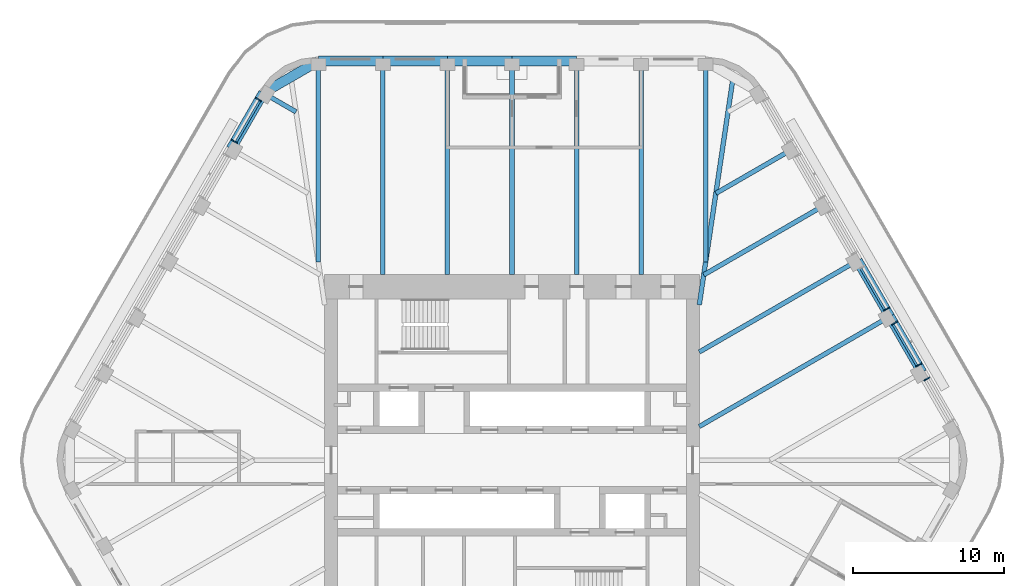
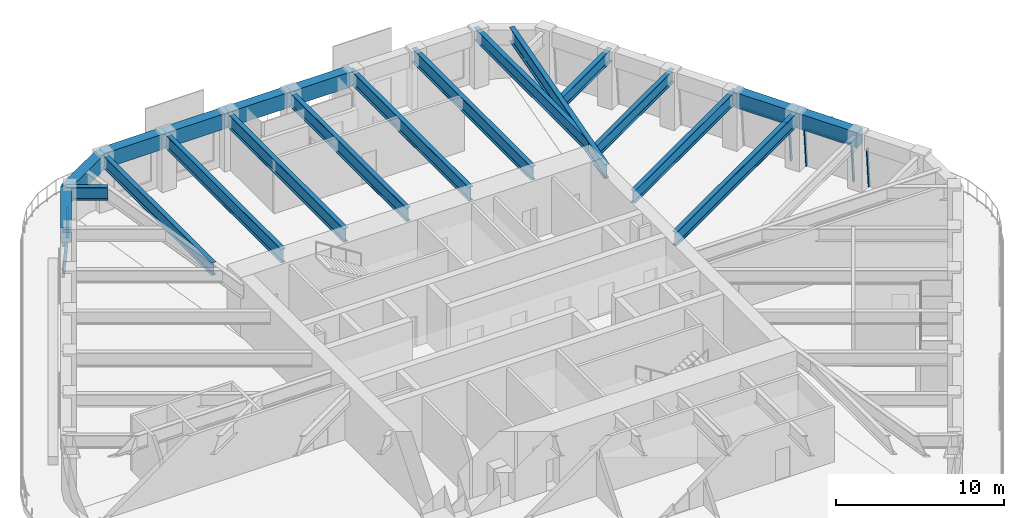
# One storey, part 9 of 19: 21 beams, 9 members, 4 elements without a shape of their own.
"""IFC4 building model written with IfcOpenShell, lengths in metres."""

from ifc_helpers import new_model, si_unit, direction, frame, origin, origin_2d, place, context, subcontext, project, spatial, rectangle, i_section, extrude, material, material_profile, profile_set, type_object, element, aggregate, save


model = new_model("IFC4")

# Units and contexts
model_context = context("Model", 3, precision=1e-05, world=origin(), true_north=direction((0.0, 1.0)))
body_context = subcontext(model_context, "Body", "Model", "MODEL_VIEW")
ifc_project = project(units=[si_unit("LENGTHUNIT", "METRE"), si_unit("AREAUNIT", "SQUARE_METRE"), si_unit("VOLUMEUNIT", "CUBIC_METRE"), si_unit("PLANEANGLEUNIT", "RADIAN"), si_unit("MASSUNIT", "GRAM", prefix="KILO")], contexts=[model_context])

# Site, building, storey
site_placement = place(None, origin())
site = spatial("IfcSite", under=ifc_project, at=site_placement, CompositionType="ELEMENT")
building_placement = place(site_placement, origin())
building = spatial("IfcBuilding", under=site, at=building_placement, Name="Tarfa Lantern Tower", CompositionType="ELEMENT")
storey_placement = place(building_placement, frame((0.0, 0.0, 332.5)))
storey = spatial("IfcBuildingStorey", under=building, at=storey_placement, Name="L75", CompositionType="ELEMENT", Elevation=332.5)

# Curtain wall, member
ifc_material_1 = material(Name="Aluminium framed curtain wall", Category="aluminium")
curtain_wall_type = type_object("IfcCurtainWallType", Name="CW4 CANTED GLAZING EXECUTIVE ZONE 2900", PredefinedType="USERDEFINED", material=ifc_material_1)
curtain_wall_1_placement = place(storey_placement, origin())
curtain_wall_1 = element("IfcCurtainWall", 1, at=curtain_wall_1_placement, inside=storey, type_object=curtain_wall_type, Name="CW4 NE L75", ObjectType="CURTAIN WALL", PredefinedType="USERDEFINED")
ifc_material_2 = material(Name="Aluminium mullion", Category="aluminium")
ifc_material_profile_1 = material_profile(ifc_material_2, rectangle(XDim=0.06494140625, YDim=0.199951171875, at=origin_2d()), Name="AL MULLION 65x200")
ifc_profile_set_1 = profile_set([ifc_material_profile_1], Name="Aluminium mullion")
member_type_1 = type_object("IfcMemberType", Name="CWM1 MULLION 65x200", PredefinedType="MULLION", material=ifc_profile_set_1)
member_1_placement = place(storey_placement, frame((27.6279296875, 5.447265625, 0.0), z_axis=(-0.074399820079, -0.042945555672, 0.996303340364), x_axis=(0.499919672301, -0.866071776036, 0.0)))
member_1 = element("IfcMember", 2, at=member_1_placement, type_object=member_type_1, Name="CW4 mullion 2", PredefinedType="MULLION", context=body_context, shape_type="SweptSolid", body=[
    extrude(rectangle(XDim=0.06494140625, YDim=0.199951171875, at=origin_2d()), origin(), (0.0, 0.0, 1.0), 2.91064453125),
])
aggregate(curtain_wall_1, [member_1])

# Curtain wall, members
curtain_wall_2_placement = place(storey_placement, origin())
curtain_wall_2 = element("IfcCurtainWall", 3, at=curtain_wall_2_placement, inside=storey, type_object=curtain_wall_type, Name="CW4 NE L75", ObjectType="CURTAIN WALL", PredefinedType="USERDEFINED")
member_2_placement = place(storey_placement, frame((27.095458984375, 6.369384765625, 0.0), z_axis=(-0.074399820079, -0.042945555672, 0.996303340364), x_axis=(0.499919672301, -0.866071776036, 0.0)))
member_2 = element("IfcMember", 4, at=member_2_placement, type_object=member_type_1, Name="CW4 mullion 1", PredefinedType="MULLION", context=body_context, shape_type="SweptSolid", body=[
    extrude(rectangle(XDim=0.06494140625, YDim=0.199951171875, at=origin_2d()), origin(), (0.0, 0.0, 1.0), 2.91064453125),
])
member_3_placement = place(storey_placement, frame((25.48681640625, 9.155517578125, 0.0), z_axis=(-0.074399820079, -0.042945555672, 0.996303340364), x_axis=(0.499919672301, -0.866071776036, 0.0)))
member_3 = element("IfcMember", 5, at=member_3_placement, type_object=member_type_1, Name="CW4 mullion 2", PredefinedType="MULLION", context=body_context, shape_type="SweptSolid", body=[
    extrude(rectangle(XDim=0.06494140625, YDim=0.199951171875, at=origin_2d()), origin(), (0.0, 0.0, 1.0), 2.91064453125),
])

# Curtain wall, member
curtain_wall_3_placement = place(storey_placement, origin())
curtain_wall_3 = element("IfcCurtainWall", 6, at=curtain_wall_3_placement, inside=storey, type_object=curtain_wall_type, Name="CW4 NE L75", ObjectType="CURTAIN WALL", PredefinedType="USERDEFINED")
member_4_placement = place(storey_placement, frame((24.954345703125, 10.077880859375, 0.0), z_axis=(-0.074399820079, -0.042945555672, 0.996303340364), x_axis=(0.499919672301, -0.866071776036, 0.0)))
member_4 = element("IfcMember", 7, at=member_4_placement, type_object=member_type_1, Name="CW4 mullion 1", PredefinedType="MULLION", context=body_context, shape_type="SweptSolid", body=[
    extrude(rectangle(XDim=0.06494140625, YDim=0.199951171875, at=origin_2d()), origin(), (0.0, 0.0, 1.0), 2.91064453125),
])

# Curtain wall, members
curtain_wall_4_placement = place(storey_placement, origin())
curtain_wall_4 = element("IfcCurtainWall", 8, at=curtain_wall_4_placement, inside=storey, type_object=curtain_wall_type, Name="CW4 NW L75", ObjectType="CURTAIN WALL", PredefinedType="USERDEFINED")
member_5_placement = place(storey_placement, frame((-16.9228515625, 23.98876953125, 0.0), z_axis=(0.074399820079, -0.042945555672, 0.996303340364), x_axis=(0.499919672301, 0.866071776036, 0.0)))
member_5 = element("IfcMember", 9, at=member_5_placement, type_object=member_type_1, Name="CW4 mullion 1", PredefinedType="MULLION", context=body_context, shape_type="SweptSolid", body=[
    extrude(rectangle(XDim=0.06494140625, YDim=0.199951171875, at=origin_2d()), origin(), (0.0, 0.0, 1.0), 2.91064453125),
])
member_6_placement = place(storey_placement, frame((-18.53125, 21.202880859375, 0.0), z_axis=(0.074399820079, -0.042945555672, 0.996303340364), x_axis=(0.499919672301, 0.866071776036, 0.0)))
member_6 = element("IfcMember", 10, at=member_6_placement, type_object=member_type_1, Name="CW4 mullion 2", PredefinedType="MULLION", context=body_context, shape_type="SweptSolid", body=[
    extrude(rectangle(XDim=0.06494140625, YDim=0.199951171875, at=origin_2d()), origin(), (0.0, 0.0, 1.0), 2.91064453125),
])

# Member
ifc_material_3 = material(Name="Aluminium transom", Category="aluminium")
ifc_material_profile_2 = material_profile(ifc_material_3, rectangle(XDim=0.14990234375, YDim=0.06494140625, at=origin_2d()), Name="AL TRANSOM 150x65")
ifc_profile_set_2 = profile_set([ifc_material_profile_2], Name="Aluminium transom")
member_type_2 = type_object("IfcMemberType", Name="CWT1 TRANSOM 150x65", PredefinedType="USERDEFINED", material=ifc_profile_set_2)
member_7_placement = place(storey_placement, frame((26.864990234375, 6.27392578125, 2.867431640625), z_axis=(-0.499979472441, 0.866037255052, 0.0), x_axis=(-0.866037255052, -0.499979472441, 0.0)))
member_7 = element("IfcMember", 11, at=member_7_placement, type_object=member_type_2, Name="CW4 transom 1.2", ObjectType="TRANSOM", PredefinedType="USERDEFINED", context=body_context, shape_type="SweptSolid", body=[
    extrude(rectangle(XDim=0.14990234375, YDim=0.06494140625, at=origin_2d()), origin(), (0.0, 0.0, 1.0), 3.152099609375),
])

aggregate(curtain_wall_2, [member_2, member_3, member_7])

member_8_placement = place(storey_placement, frame((24.72412109375, 9.982421875, 2.867431640625), z_axis=(-0.500037562771, 0.866003715822, 0.0), x_axis=(-0.866003715822, -0.500037562771, 0.0)))
member_8 = element("IfcMember", 12, at=member_8_placement, type_object=member_type_2, Name="CW4 transom 1.2", ObjectType="TRANSOM", PredefinedType="USERDEFINED", context=body_context, shape_type="SweptSolid", body=[
    extrude(rectangle(XDim=0.14990234375, YDim=0.06494140625, at=origin_2d()), origin(), (0.0, 0.0, 1.0), 3.152099609375),
])

aggregate(curtain_wall_3, [member_4, member_8])

member_9_placement = place(storey_placement, frame((-16.724853515625, 23.837158203125, 2.867431640625), z_axis=(-0.500037562771, -0.866003715822, 0.0), x_axis=(0.866003715822, -0.500037562771, 0.0)))
member_9 = element("IfcMember", 13, at=member_9_placement, type_object=member_type_2, Name="CW4 transom 1.2", ObjectType="TRANSOM", PredefinedType="USERDEFINED", context=body_context, shape_type="SweptSolid", body=[
    extrude(rectangle(XDim=0.14990234375, YDim=0.06494140625, at=origin_2d()), origin(), (0.0, 0.0, 1.0), 3.152099609375),
])

aggregate(curtain_wall_4, [member_5, member_6, member_9])

# Beams
ifc_material_4 = material(Name="Concrete C80/95", Category="concrete")
ifc_material_profile_3 = material_profile(ifc_material_4, rectangle(XDim=0.64990234375, YDim=1.10009765625, at=origin_2d()), Name="RC 650x1100")
ifc_profile_set_3 = profile_set([ifc_material_profile_3], Name="Concrete C80/95")
beam_type_1 = type_object("IfcBeamType", Name="EB4 RC 650x1100", PredefinedType="SPANDREL", material=ifc_profile_set_3)
beam_1_placement = place(storey_placement, frame((27.205810546875, 5.818359375, 3.449951171875), z_axis=(-0.500026801138, 0.866009929587, 0.0), x_axis=(-0.866009929587, -0.500026801138, 0.0)))
element("IfcBeam", 14, at=beam_1_placement, inside=storey, type_object=beam_type_1, Name="Edge beam NE1", PredefinedType="SPANDREL", context=body_context, shape_type="SweptSolid", body=[
    extrude(rectangle(XDim=0.64990234375, YDim=1.10009765625, at=origin_2d()), origin(), (0.0, 0.0, 1.0), 4.281982421875),
])
beam_2_placement = place(storey_placement, frame((25.064697265625, 9.526611328125, 3.449951171875), z_axis=(-0.500002112793, 0.866024183959, 0.0), x_axis=(-0.866024183959, -0.500002112793, 0.0)))
element("IfcBeam", 15, at=beam_2_placement, inside=storey, type_object=beam_type_1, Name="Edge beam NE2", PredefinedType="SPANDREL", context=body_context, shape_type="SweptSolid", body=[
    extrude(rectangle(XDim=0.64990234375, YDim=1.10009765625, at=origin_2d()), origin(), (0.0, 0.0, 1.0), 4.2822265625),
])
for number, where, z_axis, x_axis, name in (
    (16, (4.281982421875, 26.469970703125, 3.449951171875), (-1.0, 0.0, 0.0), (0.0, -1.0, 0.0), "Edge beam N2"),
    (17, (0.0, 26.469970703125, 3.449951171875), (-1.0, 0.0, 0.0), (0.0, -1.0, 0.0), "Edge beam N3"),
    (18, (-4.281982421875, 26.469970703125, 3.449951171875), (-1.0, 0.0, 0.0), (0.0, -1.0, 0.0), "Edge beam N4"),
    (19, (-8.56396484375, 26.469970703125, 3.449951171875), (-1.0, 0.0, 0.0), (0.0, -1.0, 0.0), "Edge beam N5"),
):
    element("IfcBeam", number, at=place(storey_placement, frame(where, z_axis=z_axis, x_axis=x_axis)), inside=storey, type_object=beam_type_1, Name=name, PredefinedType="SPANDREL", context=body_context, shape_type="SweptSolid", body=[
        extrude(rectangle(XDim=0.64990234375, YDim=1.10009765625, at=origin_2d()), origin(), (0.0, 0.0, 1.0), 4.281982421875),
    ])
beam_3_placement = place(storey_placement, frame((-12.845947265625, 26.469970703125, 3.449951171875), z_axis=(-0.866048788483, -0.499959494327, 0.0), x_axis=(0.499959494327, -0.866048788483, 0.0)))
element("IfcBeam", 20, at=beam_3_placement, inside=storey, type_object=beam_type_1, Name="Edge beam N6", PredefinedType="SPANDREL", context=body_context, shape_type="SweptSolid", body=[
    extrude(rectangle(XDim=0.64990234375, YDim=1.10009765625, at=origin_2d()), origin(), (0.0, 0.0, 1.0), 4.219970703125),
])
beam_4_placement = place(storey_placement, frame((-16.500732421875, 24.360107421875, 3.449951171875), z_axis=(-0.499959351497, -0.866048870937, 0.0), x_axis=(0.866048870937, -0.499959351497, 0.0)))
element("IfcBeam", 21, at=beam_4_placement, inside=storey, type_object=beam_type_1, Name="Edge beam NW0", PredefinedType="SPANDREL", context=body_context, shape_type="SweptSolid", body=[
    extrude(rectangle(XDim=0.64990234375, YDim=1.10009765625, at=origin_2d()), origin(), (0.0, 0.0, 1.0), 4.281982421875),
])
ifc_material_5 = material(Name="Steel S460M", Category="steel")
ifc_material_profile_4 = material_profile(ifc_material_5, i_section(OverallWidth=0.302001953125, OverallDepth=1.008056640625, WebThickness=0.02099609375, FlangeThickness=0.0400390625, FilletRadius=0.030029296875, at=origin_2d()), Name="UB1016x305x349")
ifc_profile_set_4 = profile_set([ifc_material_profile_4], Name="Steel S460M")
beam_type_2 = type_object("IfcBeamType", Name="UB1016x305x349", PredefinedType="BEAM", material=ifc_profile_set_4)
beam_5_placement = place(storey_placement, frame((25.064697265625, 9.526611328125, 3.495849609375), z_axis=(-0.866029591389, -0.499992746786, 0.0), x_axis=(0.499992746786, -0.866029591389, 0.0)))
element("IfcBeam", 22, at=beam_5_placement, inside=storey, type_object=beam_type_2, Name="Floor beam NE2", PredefinedType="BEAM", context=body_context, shape_type="SweptSolid", body=[
    extrude(i_section(OverallWidth=0.302001953125, OverallDepth=1.008056640625, WebThickness=0.02099609375, FlangeThickness=0.0400390625, FilletRadius=0.030029296875, at=origin_2d()), origin(), (0.0, 0.0, 1.0), 14.594970703125),
])
for number, where, z_axis, x_axis, name in (
    (23, (8.56396484375, 26.469970703125, 3.495849609375), (0.0, -1.0, 0.0), (1.0, 0.0, 0.0), "Floor beam N1"),
    (24, (4.281982421875, 26.469970703125, 3.495849609375), (0.0, -1.0, 0.0), (1.0, 0.0, 0.0), "Floor beam N2"),
    (25, (0.0, 26.469970703125, 3.495849609375), (0.0, -1.0, 0.0), (1.0, 0.0, 0.0), "Floor beam N3"),
    (26, (-4.281982421875, 26.469970703125, 3.495849609375), (0.0, -1.0, 0.0), (1.0, 0.0, 0.0), "Floor beam N4"),
    (27, (-8.56396484375, 26.469970703125, 3.495849609375), (0.0, -1.0, 0.0), (1.0, 0.0, 0.0), "Floor beam N5"),
):
    element("IfcBeam", number, at=place(storey_placement, frame(where, z_axis=z_axis, x_axis=x_axis)), inside=storey, type_object=beam_type_2, Name=name, PredefinedType="BEAM", context=body_context, shape_type="SweptSolid", body=[
        extrude(i_section(OverallWidth=0.302001953125, OverallDepth=1.008056640625, WebThickness=0.02099609375, FlangeThickness=0.0400390625, FilletRadius=0.030029296875, at=origin_2d()), origin(), (0.0, 0.0, 1.0), 14.169921875),
    ])
ifc_material_profile_5 = material_profile(ifc_material_5, i_section(OverallWidth=0.30859375, OverallDepth=1.036376953125, WebThickness=0.030029296875, FlangeThickness=0.05419921875, FilletRadius=0.030029296875, at=origin_2d()), Name="UB1016x305x487")
ifc_profile_set_5 = profile_set([ifc_material_profile_5], Name="Steel S460M")
beam_type_3 = type_object("IfcBeamType", Name="UB1016x305x487", PredefinedType="BEAM", material=ifc_profile_set_5)
beam_6_placement = place(storey_placement, frame((12.425048828125, 10.300048828125, 3.48193359375), z_axis=(0.147127069073, 0.989117599452, 0.0), x_axis=(-0.989117599452, 0.147127069073, 0.0)))
element("IfcBeam", 28, at=beam_6_placement, inside=storey, type_object=beam_type_3, Name="Hip girder NE", PredefinedType="BEAM", context=body_context, shape_type="SweptSolid", body=[
    extrude(i_section(OverallWidth=0.30859375, OverallDepth=1.036376953125, WebThickness=0.030029296875, FlangeThickness=0.05419921875, FilletRadius=0.030029296875, at=origin_2d()), origin(), (0.0, 0.0, 1.0), 15.28125),
])
ifc_material_profile_6 = material_profile(ifc_material_5, i_section(OverallWidth=0.305419921875, OverallDepth=0.91845703125, WebThickness=0.017333984375, FlangeThickness=0.02783203125, FilletRadius=0.01904296875, at=origin_2d()), Name="UB914x305x253")
ifc_profile_set_6 = profile_set([ifc_material_profile_6], Name="Steel S460M")
beam_type_4 = type_object("IfcBeamType", Name="UB914x305x253", PredefinedType="BEAM", material=ifc_profile_set_6)
beam_7_placement = place(storey_placement, frame((22.923583984375, 13.235107421875, 3.540771484375), z_axis=(-0.86601856927, -0.500011837539, 0.0), x_axis=(0.500011837539, -0.86601856927, 0.0)))
element("IfcBeam", 29, at=beam_7_placement, inside=storey, type_object=beam_type_4, Name="Floor beam NE3", PredefinedType="BEAM", context=body_context, shape_type="SweptSolid", body=[
    extrude(i_section(OverallWidth=0.305419921875, OverallDepth=0.91845703125, WebThickness=0.017333984375, FlangeThickness=0.02783203125, FilletRadius=0.01904296875, at=origin_2d()), origin(), (0.0, 0.0, 1.0), 12.122802734375),
])
beam_8_placement = place(storey_placement, frame((20.78271484375, 16.943359375, 3.540771484375), z_axis=(-0.866021806508, -0.500006230613, 0.0), x_axis=(0.500006230613, -0.866021806508, 0.0)))
element("IfcBeam", 30, at=beam_8_placement, inside=storey, type_object=beam_type_4, Name="Floor beam NE4", PredefinedType="BEAM", context=body_context, shape_type="SweptSolid", body=[
    extrude(i_section(OverallWidth=0.305419921875, OverallDepth=0.91845703125, WebThickness=0.017333984375, FlangeThickness=0.02783203125, FilletRadius=0.01904296875, at=origin_2d()), origin(), (0.0, 0.0, 1.0), 9.30908203125),
])
beam_9_placement = place(storey_placement, frame((18.6416015625, 20.651611328125, 3.540771484375), z_axis=(-0.866024549157, -0.500001480256, 0.0), x_axis=(0.500001480256, -0.866024549157, 0.0)))
element("IfcBeam", 31, at=beam_9_placement, inside=storey, type_object=beam_type_4, Name="Floor beam NE5", PredefinedType="BEAM", context=body_context, shape_type="SweptSolid", body=[
    extrude(i_section(OverallWidth=0.305419921875, OverallDepth=0.91845703125, WebThickness=0.017333984375, FlangeThickness=0.02783203125, FilletRadius=0.01904296875, at=origin_2d()), origin(), (0.0, 0.0, 1.0), 5.90771484375),
])
for number, where, z_axis, x_axis, name in (
    (32, (12.845947265625, 26.469970703125, 3.540771484375), (0.0, -1.0, 0.0), (1.0, 0.0, 0.0), "Floor beam N0"),
    (33, (-12.845947265625, 26.469970703125, 3.540771484375), (0.0, -1.0, 0.0), (1.0, 0.0, 0.0), "Floor beam N6"),
):
    element("IfcBeam", number, at=place(storey_placement, frame(where, z_axis=z_axis, x_axis=x_axis)), inside=storey, type_object=beam_type_4, Name=name, PredefinedType="BEAM", context=body_context, shape_type="SweptSolid", body=[
        extrude(i_section(OverallWidth=0.305419921875, OverallDepth=0.91845703125, WebThickness=0.017333984375, FlangeThickness=0.02783203125, FilletRadius=0.01904296875, at=origin_2d()), origin(), (0.0, 0.0, 1.0), 13.33935546875),
    ])
beam_10_placement = place(storey_placement, frame((-16.500732421875, 24.360107421875, 3.540771484375), z_axis=(0.865992557167, -0.500056887695, 0.0), x_axis=(0.500056887695, 0.865992557167, 0.0)))
element("IfcBeam", 34, at=beam_10_placement, inside=storey, type_object=beam_type_4, Name="Floor beam NW0", PredefinedType="BEAM", context=body_context, shape_type="SweptSolid", body=[
    extrude(i_section(OverallWidth=0.305419921875, OverallDepth=0.91845703125, WebThickness=0.017333984375, FlangeThickness=0.02783203125, FilletRadius=0.01904296875, at=origin_2d()), origin(), (0.0, 0.0, 1.0), 2.506591796875),
])

save(model, "model.ifc")
